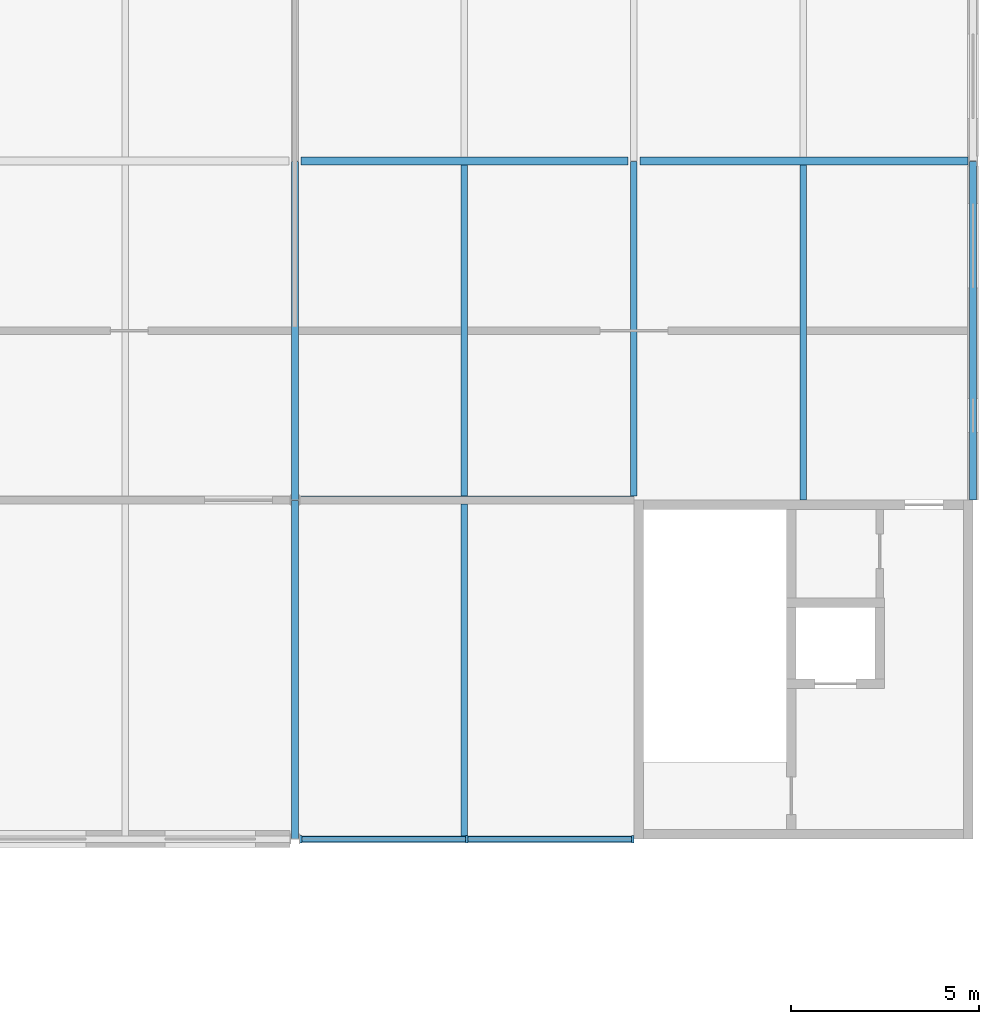
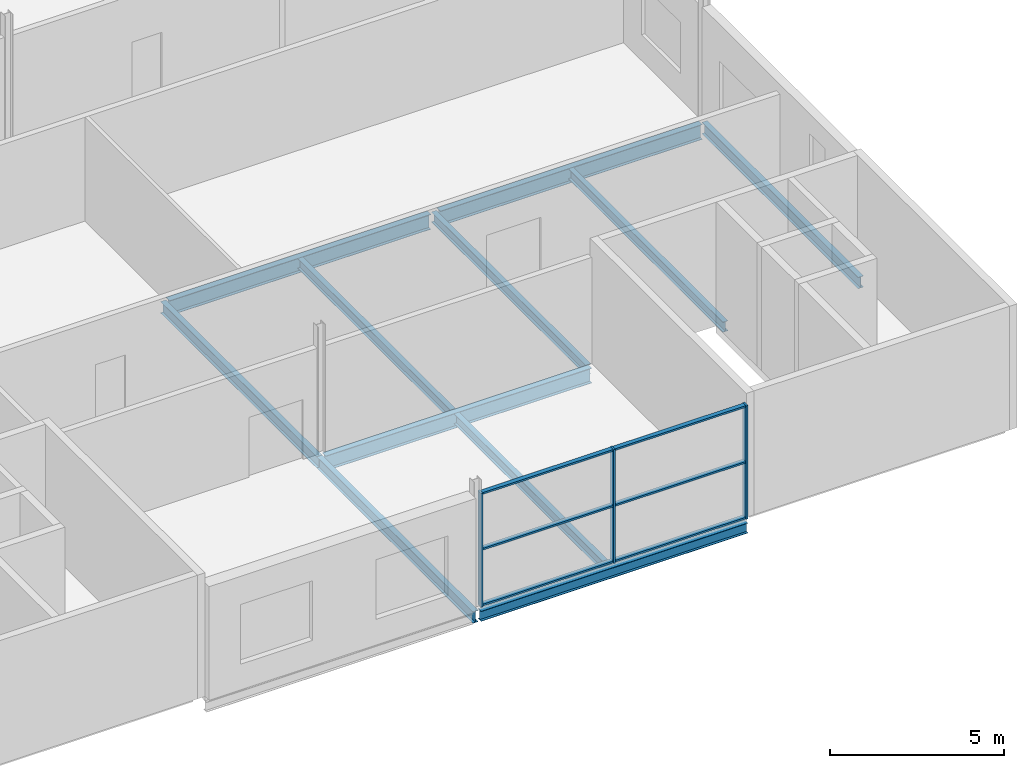
# One storey, part 83 of 138: 11 beams, 9 members, 1 element without a shape of its own.
"""IFC4 building model written with IfcOpenShell, lengths in metres."""

from ifc_helpers import new_model, si_unit, direction, frame, origin, origin_2d, place, context, subcontext, project, spatial, rectangle, i_section, extrude, material, layer, layer_set, material_profile, profile_set, type_object, element, aggregate, save


model = new_model("IFC4")

# Units and contexts
model_context = context("Model", 3, precision=1e-05, world=origin(), true_north=direction((0.0, 1.0)))
body_context = subcontext(model_context, "Body", "Model", "MODEL_VIEW")
ifc_project = project(units=[si_unit("LENGTHUNIT", "METRE"), si_unit("AREAUNIT", "SQUARE_METRE"), si_unit("VOLUMEUNIT", "CUBIC_METRE"), si_unit("PLANEANGLEUNIT", "RADIAN"), si_unit("MASSUNIT", "GRAM", prefix="KILO")], contexts=[model_context])

# Site, building, storey
site_placement = place(None, origin())
site = spatial("IfcSite", under=ifc_project, at=site_placement, CompositionType="ELEMENT")
building_placement = place(site_placement, origin())
building = spatial("IfcBuilding", under=site, at=building_placement, Name="Corbel Yard City Hall", CompositionType="ELEMENT")
storey_placement = place(building_placement, frame((0.0, 0.0, 10.5)))
storey = spatial("IfcBuildingStorey", under=building, at=storey_placement, Name="L02", CompositionType="ELEMENT", Elevation=10.5)

# Beams
ifc_material_1 = material(Name="Steel Grade 300 (300 MPa yield)", Category="steel")
ifc_material_profile_1 = material_profile(ifc_material_1, i_section(OverallWidth=0.1708984375, OverallDepth=0.35595703125, WebThickness=0.00732421875, FlangeThickness=0.011474609375, at=origin_2d()), Name="360UB50.7")
ifc_profile_set_1 = profile_set([ifc_material_profile_1], Name="Steel Grade 300 (300 MPa yield)")
beam_type_1 = type_object("IfcBeamType", Name="Beam 360UB50.7", PredefinedType="BEAM", material=ifc_profile_set_1)
beam_1_placement = place(storey_placement, frame((171.0, 54.1044921875, -0.327880859375), z_axis=(0.0, 1.0, 0.0), x_axis=(-1.0, 0.0, 0.0)))
element("IfcBeam", 1, at=beam_1_placement, inside=storey, type_object=beam_type_1, Name="Beam 360UB50.7 SB14 L02floor", PredefinedType="BEAM", context=body_context, shape_type="SweptSolid", body=[
    extrude(i_section(OverallWidth=0.1708984375, OverallDepth=0.35595703125, WebThickness=0.00732421875, FlangeThickness=0.011474609375, at=origin_2d()), origin(), (0.0, 0.0, 1.0), 8.8896484375),
])
ifc_material_profile_2 = material_profile(ifc_material_1, i_section(OverallWidth=0.177978515625, OverallDepth=0.403076171875, WebThickness=0.007568359375, FlangeThickness=0.010986328125, at=origin_2d()), Name="410UB53.7")
ifc_profile_set_2 = profile_set([ifc_material_profile_2], Name="Steel Grade 300 (300 MPa yield)")
beam_type_2 = type_object("IfcBeamType", Name="Beam 410UB53.7", PredefinedType="BEAM", material=ifc_profile_set_2)
beam_2_placement = place(storey_placement, frame((162.0, 45.00537109375, -0.3515625), z_axis=(0.0, 1.0, 0.0), x_axis=(-1.0, 0.0, 0.0)))
element("IfcBeam", 2, at=beam_2_placement, inside=storey, type_object=beam_type_2, Name="Beam 410UB53.7 SB6 L02floor", PredefinedType="BEAM", context=body_context, shape_type="SweptSolid", body=[
    extrude(i_section(OverallWidth=0.177978515625, OverallDepth=0.403076171875, WebThickness=0.007568359375, FlangeThickness=0.010986328125, at=origin_2d()), origin(), (0.0, 0.0, 1.0), 8.98876953125),
])
beam_3_placement = place(storey_placement, frame((162.0, 54.005859375, -0.3515625), z_axis=(0.0, 1.0, 0.0), x_axis=(-1.0, 0.0, 0.0)))
element("IfcBeam", 3, at=beam_3_placement, inside=storey, type_object=beam_type_2, Name="Beam 410UB53.7 SB6 L02floor", PredefinedType="BEAM", context=body_context, shape_type="SweptSolid", body=[
    extrude(i_section(OverallWidth=0.177978515625, OverallDepth=0.403076171875, WebThickness=0.007568359375, FlangeThickness=0.010986328125, at=origin_2d()), origin(), (0.0, 0.0, 1.0), 8.98828125),
])
ifc_material_profile_3 = material_profile(ifc_material_1, i_section(OverallWidth=0.172119140625, OverallDepth=0.35888671875, WebThickness=0.008056640625, FlangeThickness=0.012939453125, at=origin_2d()), Name="360UB56.7")
ifc_profile_set_3 = profile_set([ifc_material_profile_3], Name="Steel Grade 300 (300 MPa yield)")
beam_type_3 = type_object("IfcBeamType", Name="Edge beam 360UB56.7", PredefinedType="BEAM", material=ifc_profile_set_3)
beam_4_placement = place(storey_placement, frame((162.1298828125, 45.0, -0.32958984375), z_axis=(1.0, 0.0, 0.0), x_axis=(0.0, 1.0, 0.0)))
element("IfcBeam", 4, at=beam_4_placement, inside=storey, type_object=beam_type_3, Name="Edge beam 360UB56.7 EB4 L02floor", PredefinedType="BEAM", context=body_context, shape_type="SweptSolid", body=[
    extrude(i_section(OverallWidth=0.172119140625, OverallDepth=0.35888671875, WebThickness=0.008056640625, FlangeThickness=0.012939453125, at=origin_2d()), origin(), (0.0, 0.0, 1.0), 8.8701171875),
])
ifc_material_profile_4 = material_profile(ifc_material_1, i_section(OverallWidth=0.177978515625, OverallDepth=0.403076171875, WebThickness=0.007568359375, FlangeThickness=0.010986328125, at=origin_2d()), Name="410UB53.7")
ifc_profile_set_4 = profile_set([ifc_material_profile_4], Name="Steel Grade 300 (300 MPa yield)")
beam_type_4 = type_object("IfcBeamType", Name="Edge beam 410UB53.7", PredefinedType="BEAM", material=ifc_profile_set_4)
beam_5_placement = place(storey_placement, frame((180.0, 54.0, -0.3515625), z_axis=(0.0, 1.0, 0.0), x_axis=(-1.0, 0.0, 0.0)))
element("IfcBeam", 5, at=beam_5_placement, inside=storey, type_object=beam_type_4, Name="Edge beam 410UB53.7 EB6 L02floor", PredefinedType="BEAM", context=body_context, shape_type="SweptSolid", body=[
    extrude(i_section(OverallWidth=0.177978515625, OverallDepth=0.403076171875, WebThickness=0.007568359375, FlangeThickness=0.010986328125, at=origin_2d()), origin(), (0.0, 0.0, 1.0), 8.99462890625),
])
ifc_material_profile_5 = material_profile(ifc_material_1, i_section(OverallWidth=0.208984375, OverallDepth=0.528076171875, WebThickness=0.009521484375, FlangeThickness=0.01318359375, at=origin_2d()), Name="530UB82.0")
ifc_profile_set_5 = profile_set([ifc_material_profile_5], Name="Steel Grade 300 (300 MPa yield)")
beam_type_5 = type_object("IfcBeamType", Name="Girder 530UB82.0", PredefinedType="BEAM", material=ifc_profile_set_5)
beam_6_placement = place(storey_placement, frame((162.157470703125, 54.0, -0.4140625), z_axis=(1.0, 0.0, 0.0), x_axis=(0.0, 1.0, 0.0)))
element("IfcBeam", 6, at=beam_6_placement, inside=storey, type_object=beam_type_5, Name="Girder 530UB82.0 GB3 L02floor", PredefinedType="BEAM", context=body_context, shape_type="SweptSolid", body=[
    extrude(i_section(OverallWidth=0.208984375, OverallDepth=0.528076171875, WebThickness=0.009521484375, FlangeThickness=0.01318359375, at=origin_2d()), origin(), (0.0, 0.0, 1.0), 8.842529296875),
])
beam_7_placement = place(storey_placement, frame((162.157470703125, 63.0, -0.4140625), z_axis=(1.0, 0.0, 0.0), x_axis=(0.0, 1.0, 0.0)))
element("IfcBeam", 7, at=beam_7_placement, inside=storey, type_object=beam_type_5, Name="Girder 530UB82.0 GB3 L02floor", PredefinedType="BEAM", context=body_context, shape_type="SweptSolid", body=[
    extrude(i_section(OverallWidth=0.208984375, OverallDepth=0.528076171875, WebThickness=0.009521484375, FlangeThickness=0.01318359375, at=origin_2d()), origin(), (0.0, 0.0, 1.0), 8.68505859375),
])
beam_8_placement = place(storey_placement, frame((171.157470703125, 63.0, -0.4140625), z_axis=(1.0, 0.0, 0.0), x_axis=(0.0, 1.0, 0.0)))
element("IfcBeam", 8, at=beam_8_placement, inside=storey, type_object=beam_type_5, Name="Girder 530UB82.0 GB3 L02floor", PredefinedType="BEAM", context=body_context, shape_type="SweptSolid", body=[
    extrude(i_section(OverallWidth=0.208984375, OverallDepth=0.528076171875, WebThickness=0.009521484375, FlangeThickness=0.01318359375, at=origin_2d()), origin(), (0.0, 0.0, 1.0), 8.712646484375),
])

# Curtain wall, members
ifc_material_2 = material(Name="Aluminium extrusion", Category="aluminium")
ifc_layer = layer(ifc_material_2, 0.199951171875)
ifc_layer_set = layer_set([ifc_layer], Name="Aluminium extrusion")
curtain_wall_type = type_object("IfcCurtainWallType", Name="CW1", PredefinedType="USERDEFINED", material=ifc_layer_set)
curtain_wall_placement = place(storey_placement, origin())
curtain_wall = element("IfcCurtainWall", 9, at=curtain_wall_placement, inside=storey, type_object=curtain_wall_type, Name="Curtain wall CW1 L02", ObjectType="CURTAIN WALL", PredefinedType="USERDEFINED")
ifc_material_profile_6 = material_profile(ifc_material_2, rectangle(XDim=0.199951171875, YDim=0.06494140625, at=origin_2d()), Name="200x65")
ifc_profile_set_6 = profile_set([ifc_material_profile_6], Name="Aluminium extrusion")
member_type_1 = type_object("IfcMemberType", Name="ML1", PredefinedType="MULLION", material=ifc_profile_set_6)
member_1_placement = place(storey_placement, frame((162.159423828125, 45.0, 0.0), z_axis=(0.0, 0.0, 1.0), x_axis=(0.0, 1.0, 0.0)))
member_1 = element("IfcMember", 10, at=member_1_placement, type_object=member_type_1, Name="CW1 mullion 1", PredefinedType="MULLION", context=body_context, shape_type="SweptSolid", body=[
    extrude(rectangle(XDim=0.199951171875, YDim=0.06494140625, at=origin_2d()), origin(), (0.0, 0.0, 1.0), 3.990966796875),
])
member_2_placement = place(storey_placement, frame((166.5634765625, 45.0, 0.0), z_axis=(0.0, 0.0, 1.0), x_axis=(0.0, 1.0, 0.0)))
member_2 = element("IfcMember", 11, at=member_2_placement, type_object=member_type_1, Name="CW1 mullion 2", PredefinedType="MULLION", context=body_context, shape_type="SweptSolid", body=[
    extrude(rectangle(XDim=0.199951171875, YDim=0.06494140625, at=origin_2d()), origin(), (0.0, 0.0, 1.0), 3.990966796875),
])
member_3_placement = place(storey_placement, frame((170.967529296875, 45.0, 0.0), z_axis=(0.0, 0.0, 1.0), x_axis=(0.0, 1.0, 0.0)))
member_3 = element("IfcMember", 12, at=member_3_placement, type_object=member_type_1, Name="CW1 mullion 3", PredefinedType="MULLION", context=body_context, shape_type="SweptSolid", body=[
    extrude(rectangle(XDim=0.199951171875, YDim=0.06494140625, at=origin_2d()), origin(), (0.0, 0.0, 1.0), 3.990966796875),
])

# Beams
ifc_material_profile_7 = material_profile(ifc_material_1, i_section(OverallWidth=0.1708984375, OverallDepth=0.35205078125, WebThickness=0.0068359375, FlangeThickness=0.009765625, at=origin_2d()), Name="360UB44.7")
ifc_profile_set_7 = profile_set([ifc_material_profile_7], Name="Steel Grade 300 (300 MPa yield)")
beam_type_6 = type_object("IfcBeamType", Name="Secondary beam 360UB44.7", PredefinedType="JOIST", material=ifc_profile_set_7)
beam_9_placement = place(storey_placement, frame((166.5, 54.1044921875, -0.325927734375), z_axis=(0.0, 1.0, 0.0), x_axis=(-1.0, 0.0, 0.0)))
element("IfcBeam", 13, at=beam_9_placement, inside=storey, type_object=beam_type_6, Name="Secondary beam 360UB44.7 SB11 L02floor", PredefinedType="JOIST", context=body_context, shape_type="SweptSolid", body=[
    extrude(i_section(OverallWidth=0.1708984375, OverallDepth=0.35205078125, WebThickness=0.0068359375, FlangeThickness=0.009765625, at=origin_2d()), origin(), (0.0, 0.0, 1.0), 8.791015625),
])
ifc_material_profile_8 = material_profile(ifc_material_1, i_section(OverallWidth=0.1708984375, OverallDepth=0.35595703125, WebThickness=0.00732421875, FlangeThickness=0.011474609375, at=origin_2d()), Name="360UB50.7")
ifc_profile_set_8 = profile_set([ifc_material_profile_8], Name="Steel Grade 300 (300 MPa yield)")
beam_type_7 = type_object("IfcBeamType", Name="Secondary beam 360UB50.7", PredefinedType="JOIST", material=ifc_profile_set_8)
beam_10_placement = place(storey_placement, frame((166.5, 45.0859375, -0.327880859375), z_axis=(0.0, 1.0, 0.0), x_axis=(-1.0, 0.0, 0.0)))
element("IfcBeam", 14, at=beam_10_placement, inside=storey, type_object=beam_type_7, Name="Secondary beam 360UB50.7 SB10 L02floor", PredefinedType="JOIST", context=body_context, shape_type="SweptSolid", body=[
    extrude(i_section(OverallWidth=0.1708984375, OverallDepth=0.35595703125, WebThickness=0.00732421875, FlangeThickness=0.011474609375, at=origin_2d()), origin(), (0.0, 0.0, 1.0), 8.8095703125),
])
beam_11_placement = place(storey_placement, frame((175.5, 54.0, -0.327880859375), z_axis=(0.0, 1.0, 0.0), x_axis=(-1.0, 0.0, 0.0)))
element("IfcBeam", 15, at=beam_11_placement, inside=storey, type_object=beam_type_7, Name="Secondary beam 360UB50.7 SB10 L02floor", PredefinedType="JOIST", context=body_context, shape_type="SweptSolid", body=[
    extrude(i_section(OverallWidth=0.1708984375, OverallDepth=0.35595703125, WebThickness=0.00732421875, FlangeThickness=0.011474609375, at=origin_2d()), origin(), (0.0, 0.0, 1.0), 8.8955078125),
])

# Member
ifc_material_profile_9 = material_profile(ifc_material_2, rectangle(XDim=0.14990234375, YDim=0.06494140625, at=origin_2d()), Name="150x65")
ifc_profile_set_9 = profile_set([ifc_material_profile_9], Name="Aluminium extrusion")
member_type_2 = type_object("IfcMemberType", Name="TR1", PredefinedType="USERDEFINED", material=ifc_profile_set_9)
member_4_placement = place(storey_placement, frame((162.19189453125, 45.0, 0.032470703125), z_axis=(1.0, 0.0, 0.0), x_axis=(0.0, 1.0, 0.0)))
member_4 = element("IfcMember", 16, at=member_4_placement, type_object=member_type_2, Name="CW1 transom 1.1", ObjectType="TRANSOM", PredefinedType="USERDEFINED", context=body_context, shape_type="SweptSolid", body=[
    extrude(rectangle(XDim=0.14990234375, YDim=0.06494140625, at=origin_2d()), origin(), (0.0, 0.0, 1.0), 4.339111328125),
])

member_5_placement = place(storey_placement, frame((162.19189453125, 45.0, 1.99560546875), z_axis=(1.0, 0.0, 0.0), x_axis=(0.0, 1.0, 0.0)))
member_5 = element("IfcMember", 17, at=member_5_placement, type_object=member_type_2, Name="CW1 transom 1.2", ObjectType="TRANSOM", PredefinedType="USERDEFINED", context=body_context, shape_type="SweptSolid", body=[
    extrude(rectangle(XDim=0.14990234375, YDim=0.06494140625, at=origin_2d()), origin(), (0.0, 0.0, 1.0), 4.339111328125),
])

member_6_placement = place(storey_placement, frame((162.19189453125, 45.0, 3.95849609375), z_axis=(1.0, 0.0, 0.0), x_axis=(0.0, 1.0, 0.0)))
member_6 = element("IfcMember", 18, at=member_6_placement, type_object=member_type_2, Name="CW1 transom 1.3", ObjectType="TRANSOM", PredefinedType="USERDEFINED", context=body_context, shape_type="SweptSolid", body=[
    extrude(rectangle(XDim=0.14990234375, YDim=0.06494140625, at=origin_2d()), origin(), (0.0, 0.0, 1.0), 4.339111328125),
])

member_7_placement = place(storey_placement, frame((166.595947265625, 45.0, 0.032470703125), z_axis=(1.0, 0.0, 0.0), x_axis=(0.0, 1.0, 0.0)))
member_7 = element("IfcMember", 19, at=member_7_placement, type_object=member_type_2, Name="CW1 transom 2.1", ObjectType="TRANSOM", PredefinedType="USERDEFINED", context=body_context, shape_type="SweptSolid", body=[
    extrude(rectangle(XDim=0.14990234375, YDim=0.06494140625, at=origin_2d()), origin(), (0.0, 0.0, 1.0), 4.339111328125),
])

member_8_placement = place(storey_placement, frame((166.595947265625, 45.0, 1.99560546875), z_axis=(1.0, 0.0, 0.0), x_axis=(0.0, 1.0, 0.0)))
member_8 = element("IfcMember", 20, at=member_8_placement, type_object=member_type_2, Name="CW1 transom 2.2", ObjectType="TRANSOM", PredefinedType="USERDEFINED", context=body_context, shape_type="SweptSolid", body=[
    extrude(rectangle(XDim=0.14990234375, YDim=0.06494140625, at=origin_2d()), origin(), (0.0, 0.0, 1.0), 4.339111328125),
])

member_9_placement = place(storey_placement, frame((166.595947265625, 45.0, 3.95849609375), z_axis=(1.0, 0.0, 0.0), x_axis=(0.0, 1.0, 0.0)))
member_9 = element("IfcMember", 21, at=member_9_placement, type_object=member_type_2, Name="CW1 transom 2.3", ObjectType="TRANSOM", PredefinedType="USERDEFINED", context=body_context, shape_type="SweptSolid", body=[
    extrude(rectangle(XDim=0.14990234375, YDim=0.06494140625, at=origin_2d()), origin(), (0.0, 0.0, 1.0), 4.339111328125),
])

aggregate(curtain_wall, [member_1, member_2, member_3, member_4, member_5, member_6, member_7, member_8, member_9])

save(model, "model.ifc")
